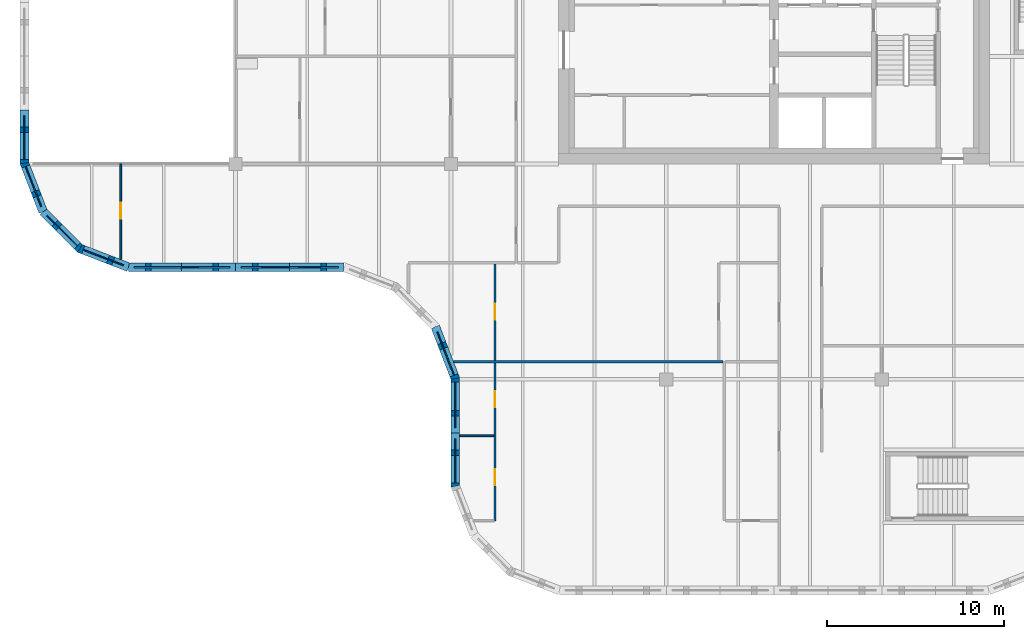
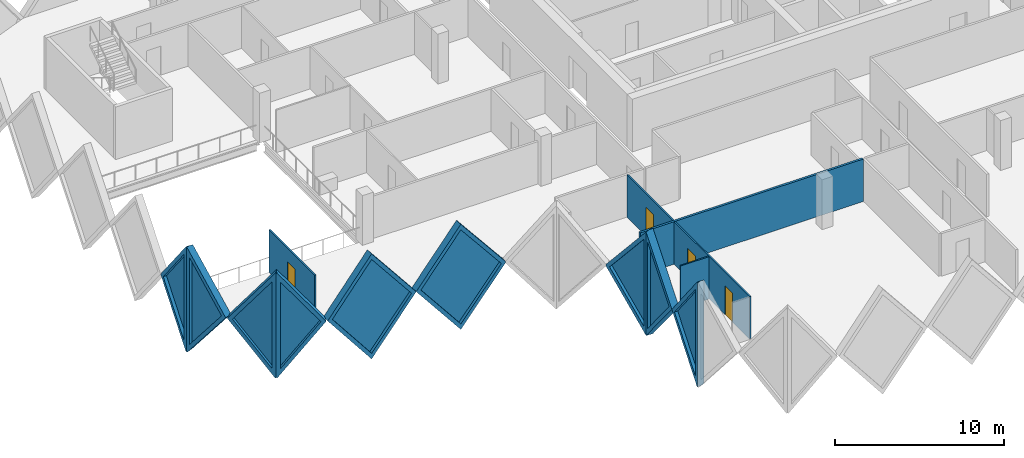
# One storey, part 3 of 12: 14 walls, 9 plates, 4 doors, 13 openings.
"""IFC4 building model written with IfcOpenShell, lengths in metres."""

from ifc_helpers import new_model, si_unit, direction, frame, frame_2d, origin, place, context, subcontext, project, spatial, polyline, rectangle, outline, extrude, faceted_brep, source, transform, mapped, material, layer, layer_set, type_object, element, fill, save


model = new_model("IFC4")

# Units and contexts
model_context = context("Model", 3, precision=1e-05, world=origin(), true_north=direction((0.0, 1.0)))
body_context = subcontext(model_context, "Body", "Model", "MODEL_VIEW")
ifc_project = project(units=[si_unit("LENGTHUNIT", "METRE"), si_unit("AREAUNIT", "SQUARE_METRE"), si_unit("VOLUMEUNIT", "CUBIC_METRE"), si_unit("PLANEANGLEUNIT", "RADIAN"), si_unit("MASSUNIT", "GRAM", prefix="KILO")], contexts=[model_context])

# Site, building, storey
site_placement = place(None, origin())
site = spatial("IfcSite", under=ifc_project, at=site_placement, CompositionType="ELEMENT")
building_placement = place(site_placement, origin())
building = spatial("IfcBuilding", under=site, at=building_placement, Name="Tessera Gate Towers", CompositionType="ELEMENT")
storey_placement = place(building_placement, frame((0.0, 0.0, 159.199951171875)))
storey = spatial("IfcBuildingStorey", under=building, at=storey_placement, Name="L39", CompositionType="ELEMENT", Elevation=159.199951171875)

# Wall, opening, door
ifc_material_1 = material(Name="Glass", Category="glass")
ifc_layer_1 = layer(ifc_material_1, 0.10009765625)
ifc_layer_set_1 = layer_set([ifc_layer_1], Name="GLAZED PARTITION 100")
wall_type_1 = type_object("IfcWallType", Name="GLAZED PARTITION 100", PredefinedType="PARTITIONING", material=ifc_layer_set_1)
wall_1_placement = place(storey_placement, frame((5.699951171875, 18.990234375, 0.0), z_axis=(0.0, 0.0, 1.0), x_axis=(0.0, 1.0, 0.0)))
wall_1 = element("IfcWall", 1, at=wall_1_placement, inside=storey, type_object=wall_type_1, Name="T1-L39-PW-021", PredefinedType="PARTITIONING", context=body_context, shape_type="SweptSolid", body=[
    extrude(rectangle(XDim=5.40966796875, YDim=0.10009765625, at=frame_2d((2.704833984375, 0.0))), origin(), (0.0, 0.0, 1.0), 3.067138671875),
])
shared_shape_1 = source(origin(), body_context, "Body", "SweptSolid", [
    extrude(rectangle(XDim=0.89990234375, YDim=2.10009765625, at=frame_2d((0.449951171875, 1.050048828125))), frame((0.0, 0.06005859375, 0.0), z_axis=(0.0, -1.0, 0.0), x_axis=(1.0, 0.0, 0.0)), (0.0, 0.0, 1.0), 0.1201171875),
])
opening_1_placement = place(wall_1_placement, frame((2.300048828125, 0.0, 0.0)))
opening_1 = element("IfcOpeningElement", 2, at=opening_1_placement, cuts=wall_1, Name="Opening D690-A14-01", PredefinedType="OPENING", context=body_context, shape_type="MappedRepresentation", body=[
    mapped(shared_shape_1, transform((0.0, 0.0, 0.0), scale=1.0)),
])
ifc_material_2 = material(Name="Glass in aluminium frame", Category="aluminium")
door_type_1 = type_object("IfcDoorType", Name="GLAZED DOOR 900 NOT RATED", OperationType="NOTDEFINED", PredefinedType="DOOR", material=ifc_material_2)
shared_shape_2 = source(origin(), body_context, "Body", "SweptSolid", [
    extrude(rectangle(XDim=0.89990234375, YDim=2.10009765625, at=frame_2d((0.449951171875, 1.050048828125))), frame((0.0, 0.02490234375, 0.0), z_axis=(0.0, -1.0, 0.0), x_axis=(1.0, 0.0, 0.0)), (0.0, 0.0, 1.0), 0.050048828125),
])
door_1_placement = place(opening_1_placement, origin())
door_1 = element("IfcDoor", 3, at=door_1_placement, inside=storey, type_object=door_type_1, Name="T1-L39-PD-006", OperationType="SINGLE_SWING_LEFT", OverallHeight=2.10009765625, OverallWidth=0.89990234375, PredefinedType="DOOR", context=body_context, shape_type="MappedRepresentation", body=[
    mapped(shared_shape_2, transform((0.0, 0.0, 0.0), scale=1.0)),
])
fill(opening_1, door_1)

# Wall, openings, doors
ifc_material_3 = material(Name="Gypsum board on steel studs", Category="steel")
ifc_layer_2 = layer(ifc_material_3, 0.10009765625)
ifc_layer_set_2 = layer_set([ifc_layer_2], Name="PARTITION 100")
wall_type_2 = type_object("IfcWallType", Name="PARTITION 100", PredefinedType="PARTITIONING", material=ifc_layer_set_2)
wall_2_placement = place(storey_placement, frame((26.89990234375, 4.199951171875, 0.0), z_axis=(0.0, 0.0, 1.0), x_axis=(0.0, 1.0, 0.0)))
wall_2 = element("IfcWall", 4, at=wall_2_placement, inside=storey, type_object=wall_type_2, Name="T1-L39-PW-004", PredefinedType="PARTITIONING", context=body_context, shape_type="SweptSolid", body=[
    extrude(rectangle(XDim=8.924072265625, YDim=0.10009765625, at=frame_2d((4.4619140625, 0.0))), origin(), (0.0, 0.0, 1.0), 3.067138671875),
])
opening_2_placement = place(wall_2_placement, frame((6.416015625, 0.0, 0.0)))
opening_2 = element("IfcOpeningElement", 5, at=opening_2_placement, cuts=wall_2, Name="Opening D190-A14-01", PredefinedType="OPENING", context=body_context, shape_type="MappedRepresentation", body=[
    mapped(shared_shape_1, transform((0.0, 0.0, 0.0), scale=1.0)),
])
opening_3_placement = place(wall_2_placement, frame((2.0, 0.0, 0.0)))
opening_3 = element("IfcOpeningElement", 6, at=opening_3_placement, cuts=wall_2, Name="Opening D190-A14-09", PredefinedType="OPENING", context=body_context, shape_type="MappedRepresentation", body=[
    mapped(shared_shape_1, transform((0.0, 0.0, 0.0), scale=1.0)),
])
ifc_material_4 = material(Name="Timber door leaf in steel frame", Category="steel")
door_type_2 = type_object("IfcDoorType", Name="INTERNAL DOOR 900 NOT RATED", OperationType="NOTDEFINED", PredefinedType="DOOR", material=ifc_material_4)
door_2_placement = place(opening_2_placement, origin())
door_2 = element("IfcDoor", 7, at=door_2_placement, inside=storey, type_object=door_type_2, Name="T1-L39-PD-002", OperationType="SINGLE_SWING_LEFT", OverallHeight=2.10009765625, OverallWidth=0.89990234375, PredefinedType="DOOR", context=body_context, shape_type="MappedRepresentation", body=[
    mapped(shared_shape_2, transform((0.0, 0.0, 0.0), scale=1.0)),
])
fill(opening_2, door_2)
door_3_placement = place(opening_3_placement, origin())
door_3 = element("IfcDoor", 8, at=door_3_placement, inside=storey, type_object=door_type_2, Name="T1-L39-PD-014", OperationType="SINGLE_SWING_LEFT", OverallHeight=2.10009765625, OverallWidth=0.89990234375, PredefinedType="DOOR", context=body_context, shape_type="MappedRepresentation", body=[
    mapped(shared_shape_2, transform((0.0, 0.0, 0.0), scale=1.0)),
])
fill(opening_3, door_3)

# Wall
wall_3_placement = place(storey_placement, frame((24.89990234375, 9.014892578125, 0.0), z_axis=(0.0, 0.0, 1.0), x_axis=(1.0, 0.0, 0.0)))
element("IfcWall", 9, at=wall_3_placement, inside=storey, type_object=wall_type_2, Name="T1-L39-PW-008", PredefinedType="PARTITIONING", context=body_context, shape_type="SweptSolid", body=[
    extrude(rectangle(XDim=1.94921875, YDim=0.10009765625, at=frame_2d((0.974609375, 0.0))), origin(), (0.0, 0.0, 1.0), 3.067138671875),
])

# Wall, opening, door
wall_4_placement = place(storey_placement, frame((26.89990234375, 13.27587890625, 0.0), z_axis=(0.0, 0.0, 1.0), x_axis=(0.0, 1.0, 0.0)))
wall_4 = element("IfcWall", 10, at=wall_4_placement, inside=storey, type_object=wall_type_2, Name="T1-L39-PW-012", PredefinedType="PARTITIONING", context=body_context, shape_type="SweptSolid", body=[
    extrude(rectangle(XDim=5.4482421875, YDim=0.10009765625, at=frame_2d((2.72412109375, 0.0))), origin(), (0.0, 0.0, 1.0), 3.067138671875),
])
opening_4_placement = place(wall_4_placement, frame((2.300048828125, 0.0, 0.0)))
opening_4 = element("IfcOpeningElement", 11, at=opening_4_placement, cuts=wall_4, Name="Opening D190-A14-04", PredefinedType="OPENING", context=body_context, shape_type="MappedRepresentation", body=[
    mapped(shared_shape_1, transform((0.0, 0.0, 0.0), scale=1.0)),
])
door_4_placement = place(opening_4_placement, origin())
door_4 = element("IfcDoor", 12, at=door_4_placement, inside=storey, type_object=door_type_2, Name="T1-L39-PD-007", OperationType="SINGLE_SWING_LEFT", OverallHeight=2.10009765625, OverallWidth=0.89990234375, PredefinedType="DOOR", context=body_context, shape_type="MappedRepresentation", body=[
    mapped(shared_shape_2, transform((0.0, 0.0, 0.0), scale=1.0)),
])
fill(opening_4, door_4)

# Wall
ifc_material_5 = material(Name="Gypsum board on steel studs, mineral wool", Category="steel")
ifc_layer_3 = layer(ifc_material_5, 0.14990234375)
ifc_layer_set_3 = layer_set([ifc_layer_3], Name="TENANCY WALL 150")
wall_type_3 = type_object("IfcWallType", Name="TENANCY WALL 150", PredefinedType="PARTITIONING", material=ifc_layer_set_3)
wall_5_placement = place(storey_placement, frame((24.55029296875, 13.199951171875, 0.0), z_axis=(0.0, 0.0, 1.0), x_axis=(1.0, 0.0, 0.0)))
element("IfcWall", 13, at=wall_5_placement, inside=storey, type_object=wall_type_3, Name="T1-L39-PW-010", PredefinedType="PARTITIONING", context=body_context, shape_type="SweptSolid", body=[
    extrude(rectangle(XDim=15.248779296875, YDim=0.14990234375, at=frame_2d((7.62451171875, 0.0))), origin(), (0.0, 0.0, 1.0), 3.067138671875),
])

# Wall, opening, plate
ifc_material_6 = material(Name="Precast concrete C60/75 white", Category="concrete")
ifc_layer_4 = layer(ifc_material_6, 0.5)
ifc_layer_set_4 = layer_set([ifc_layer_4], Name="TS1 tessera")
wall_type_4 = type_object("IfcWallType", Name="TS1 tessera", PredefinedType="SOLIDWALL", material=ifc_layer_set_4)
shared_shape_3 = source(origin(), body_context, "Body", "Brep", [
    faceted_brep([(3.00341796875, -0.25, 0.0), (6.053466796875, -0.25, 3.800048828125), (3.00341796875, -0.25, 7.60009765625), (0.0, -0.25, 3.800048828125), (0.046630859375, 0.25, 3.85888671875), (3.00341796875, 0.25, 7.60009765625), (6.053466796875, 0.25, 3.800048828125), (3.00341796875, 0.25, 0.0), (0.046630859375, 0.25, 3.7412109375), (0.0, 0.0, 3.800048828125)], [[[0, 1, 2, 3]], [[4, 5, 6, 7, 8]], [[7, 6, 1, 0]], [[6, 5, 2, 1]], [[5, 4, 9, 3, 2]], [[8, 7, 0, 3, 9]], [[8, 9, 4]]]),
])
wall_6_placement = place(storey_placement, frame((6.146484375, 18.550048828125, -3.800048828125), z_axis=(0.0, 0.0, 1.0), x_axis=(1.0, 0.0, 0.0)))
wall_6 = element("IfcWall", 14, at=wall_6_placement, inside=storey, type_object=wall_type_4, Name="Precast tessera T1 TS1-0665", PredefinedType="SOLIDWALL", context=body_context, shape_type="MappedRepresentation", body=[
    mapped(shared_shape_3, transform((0.0, 0.0, 0.0), scale=1.0)),
])
shared_shape_4 = source(origin(), body_context, "Body", "SweptSolid", [
    extrude(outline(polyline([(3.0048828125, 0.4013671875), (5.73291015625, 3.800048828125), (3.0048828125, 7.19873046875), (0.318603515625, 3.800048828125), (3.0048828125, 0.4013671875)])), frame((0.0, 0.260009765625, 0.0), z_axis=(0.0, -1.0, 0.0), x_axis=(1.0, 0.0, 0.0)), (0.0, 0.0, 1.0), 0.52001953125),
])
opening_5_placement = place(wall_6_placement, origin())
opening_5 = element("IfcOpeningElement", 15, at=opening_5_placement, cuts=wall_6, Name="Opening T1-PL2-1353", PredefinedType="OPENING", context=body_context, shape_type="MappedRepresentation", body=[
    mapped(shared_shape_4, transform((0.0, 0.0, 0.0), scale=1.0)),
])
ifc_material_7 = material(Name="Low-e laminated glass", Category="glass")
ifc_layer_5 = layer(ifc_material_7, 0.06005859375)
ifc_layer_set_5 = layer_set([ifc_layer_5], Name="PL2 rhombic pane")
plate_type = type_object("IfcPlateType", Name="PL2 rhombic pane", PredefinedType="SHEET", material=ifc_layer_set_5)
shared_shape_5 = source(origin(), body_context, "Body", "SweptSolid", [
    extrude(outline(polyline([(3.0048828125, 0.4013671875), (5.73291015625, 3.800048828125), (3.0048828125, 7.19873046875), (0.318603515625, 3.800048828125), (3.0048828125, 0.4013671875)])), frame((0.0, 0.030029296875, 0.0), z_axis=(0.0, -1.0, 0.0), x_axis=(1.0, 0.0, 0.0)), (0.0, 0.0, 1.0), 0.06005859375),
])
plate_1_placement = place(opening_5_placement, origin())
plate_1 = element("IfcPlate", 16, at=plate_1_placement, inside=storey, type_object=plate_type, Name="Glass pane T1 PL2-1353", PredefinedType="SHEET", context=body_context, shape_type="MappedRepresentation", body=[
    mapped(shared_shape_5, transform((0.0, 0.0, 0.0), scale=1.0)),
])
fill(opening_5, plate_1)

ifc_material_8 = material(Name="Precast concrete C60/75 white", Category="concrete")
ifc_layer_6 = layer(ifc_material_8, 0.5)
ifc_layer_set_6 = layer_set([ifc_layer_6], Name="TS3 corner tessera")
wall_type_5 = type_object("IfcWallType", Name="TS3 corner tessera", PredefinedType="SOLIDWALL", material=ifc_layer_set_6)
shared_shape_6 = source(origin(), body_context, "Body", "Brep", [
    faceted_brep([(3.00341796875, -0.25, 0.0), (3.050048828125, -0.25, 0.06005859375), (3.050048828125, -0.25, 7.5400390625), (3.00341796875, -0.25, 7.60009765625), (0.0, -0.25, 3.800048828125), (0.0, 0.25, 3.800048828125), (2.956787109375, 0.25, 7.541259765625), (2.956787109375, 0.25, 0.058837890625), (3.00341796875, 0.000244140625, 0.0), (3.00341796875, 0.000244140625, 7.60009765625)], [[[0, 1, 2, 3, 4]], [[5, 6, 7]], [[1, 0, 8]], [[9, 3, 2]], [[6, 5, 4, 3, 9]], [[5, 7, 8, 0, 4]], [[1, 8, 7, 6, 9, 2]]]),
])
wall_7_placement = place(storey_placement, frame((0.25, 27.449951171875, -3.800048828125), z_axis=(0.0, 0.0, 1.0), x_axis=(0.0, -1.0, 0.0)))
wall_7 = element("IfcWall", 17, at=wall_7_placement, inside=storey, type_object=wall_type_5, Name="Precast corner tessera T1 TS3-0901", PredefinedType="SOLIDWALL", context=body_context, shape_type="MappedRepresentation", body=[
    mapped(shared_shape_6, transform((0.0, 0.0, 0.0), scale=1.0)),
])
shared_shape_7 = source(origin(), body_context, "Body", "SweptSolid", [
    extrude(outline(polyline([(2.803466796875, 6.94384765625), (0.318603515625, 3.800048828125), (2.803466796875, 0.65625), (2.803466796875, 6.94384765625)])), frame((0.0, 0.260009765625, 0.0), z_axis=(0.0, -1.0, 0.0), x_axis=(1.0, 0.0, 0.0)), (0.0, 0.0, 1.0), 0.52001953125),
])
opening_6_placement = place(wall_7_placement, origin())
opening_6 = element("IfcOpeningElement", 18, at=opening_6_placement, cuts=wall_7, Name="Opening T1-PL2-1349", PredefinedType="OPENING", context=body_context, shape_type="MappedRepresentation", body=[
    mapped(shared_shape_7, transform((0.0, 0.0, 0.0), scale=1.0)),
])
shared_shape_8 = source(origin(), body_context, "Body", "SweptSolid", [
    extrude(outline(polyline([(2.803466796875, 6.94384765625), (0.318603515625, 3.800048828125), (2.803466796875, 0.65625), (2.803466796875, 6.94384765625)])), frame((0.0, 0.030029296875, 0.0), z_axis=(0.0, -1.0, 0.0), x_axis=(1.0, 0.0, 0.0)), (0.0, 0.0, 1.0), 0.06005859375),
])
plate_2_placement = place(opening_6_placement, origin())
plate_2 = element("IfcPlate", 19, at=plate_2_placement, inside=storey, type_object=plate_type, Name="Glass pane T1 PL2-1349", PredefinedType="SHEET", context=body_context, shape_type="MappedRepresentation", body=[
    mapped(shared_shape_8, transform((0.0, 0.0, 0.0), scale=1.0)),
])
fill(opening_6, plate_2)

wall_8_placement = place(storey_placement, frame((24.64990234375, 9.14990234375, -3.800048828125), z_axis=(0.0, 0.0, 1.0), x_axis=(0.0, -1.0, 0.0)))
wall_8 = element("IfcWall", 20, at=wall_8_placement, inside=storey, type_object=wall_type_5, Name="Precast corner tessera T1 TS3-0909", PredefinedType="SOLIDWALL", context=body_context, shape_type="MappedRepresentation", body=[
    mapped(shared_shape_6, transform((0.0, 0.0, 0.0), scale=1.0)),
])
opening_7_placement = place(wall_8_placement, origin())
opening_7 = element("IfcOpeningElement", 21, at=opening_7_placement, cuts=wall_8, Name="Opening T1-PL2-1359", PredefinedType="OPENING", context=body_context, shape_type="MappedRepresentation", body=[
    mapped(shared_shape_7, transform((0.0, 0.0, 0.0), scale=1.0)),
])
plate_3_placement = place(opening_7_placement, origin())
plate_3 = element("IfcPlate", 22, at=plate_3_placement, inside=storey, type_object=plate_type, Name="Glass pane T1 PL2-1359", PredefinedType="SHEET", context=body_context, shape_type="MappedRepresentation", body=[
    mapped(shared_shape_8, transform((0.0, 0.0, 0.0), scale=1.0)),
])
fill(opening_7, plate_3)

shared_shape_9 = source(origin(), body_context, "Body", "Brep", [
    faceted_brep([(0.046630859375, -0.25, 0.0), (2.9970703125, -0.25, 3.800048828125), (0.046630859375, -0.25, 7.60009765625), (0.0, -0.25, 7.541259765625), (0.0, -0.25, 0.058837890625), (0.09326171875, 0.25, 7.5400390625), (2.9443359375, 0.25, 3.8681640625), (2.9443359375, 0.25, 3.73193359375), (0.09326171875, 0.25, 0.06005859375), (2.9970703125, 0.00048828125, 3.800048828125), (0.046630859375, 0.0, 0.0), (0.046630859375, 0.0, 7.60009765625)], [[[0, 1, 2, 3, 4]], [[5, 6, 7, 8]], [[8, 7, 9, 1, 0, 10]], [[6, 5, 11, 2, 1, 9]], [[3, 2, 11]], [[10, 0, 4]], [[8, 10, 4, 3, 11, 5]], [[9, 7, 6]]]),
])
wall_9_placement = place(storey_placement, frame((0.233154296875, 24.489990234375, -3.800048828125), z_axis=(0.0, 0.0, 1.0), x_axis=(0.359901446078, -0.932990326376, 0.0)))
wall_9 = element("IfcWall", 23, at=wall_9_placement, inside=storey, type_object=wall_type_5, Name="Precast corner tessera T1 TS3-0902", PredefinedType="SOLIDWALL", context=body_context, shape_type="MappedRepresentation", body=[
    mapped(shared_shape_9, transform((0.0, 0.0, 0.0), scale=1.0)),
])
shared_shape_10 = source(origin(), body_context, "Body", "SweptSolid", [
    extrude(outline(polyline([(0.24658203125, 0.665283203125), (2.6806640625, 3.800048828125), (0.24658203125, 6.934814453125), (0.24658203125, 0.665283203125)])), frame((0.0, 0.260009765625, 0.0), z_axis=(0.0, -1.0, 0.0), x_axis=(1.0, 0.0, 0.0)), (0.0, 0.0, 1.0), 0.52001953125),
])
opening_8_placement = place(wall_9_placement, origin())
opening_8 = element("IfcOpeningElement", 24, at=opening_8_placement, cuts=wall_9, Name="Opening T1-PL2-1350", PredefinedType="OPENING", context=body_context, shape_type="MappedRepresentation", body=[
    mapped(shared_shape_10, transform((0.0, 0.0, 0.0), scale=1.0)),
])
shared_shape_11 = source(origin(), body_context, "Body", "SweptSolid", [
    extrude(outline(polyline([(0.24658203125, 0.665283203125), (2.6806640625, 3.800048828125), (0.24658203125, 6.934814453125), (0.24658203125, 0.665283203125)])), frame((0.0, 0.030029296875, 0.0), z_axis=(0.0, -1.0, 0.0), x_axis=(1.0, 0.0, 0.0)), (0.0, 0.0, 1.0), 0.06005859375),
])
plate_4_placement = place(opening_8_placement, origin())
plate_4 = element("IfcPlate", 25, at=plate_4_placement, inside=storey, type_object=plate_type, Name="Glass pane T1 PL2-1350", PredefinedType="SHEET", context=body_context, shape_type="MappedRepresentation", body=[
    mapped(shared_shape_11, transform((0.0, 0.0, 0.0), scale=1.0)),
])
fill(opening_8, plate_4)

shared_shape_12 = source(origin(), body_context, "Body", "Brep", [
    faceted_brep([(0.052978515625, -0.25, 0.0), (3.00341796875, -0.25, 3.800048828125), (0.052978515625, -0.25, 7.60009765625), (0.0, -0.25, 7.53173828125), (0.0, -0.25, 0.068359375), (0.10595703125, 0.25, 7.531982421875), (2.95703125, 0.25, 3.85986328125), (2.95703125, 0.25, 3.740234375), (0.10595703125, 0.25, 0.068115234375), (3.00341796875, 0.00048828125, 3.800048828125), (0.052978515625, 0.0, 0.0), (0.052978515625, 0.0, 7.60009765625)], [[[0, 1, 2, 3, 4]], [[5, 6, 7, 8]], [[8, 7, 9, 1, 0, 10]], [[6, 5, 11, 2, 1, 9]], [[3, 2, 11]], [[10, 0, 4]], [[8, 10, 4, 3, 11, 5]], [[9, 7, 6]]]),
])
wall_10_placement = place(storey_placement, frame((3.34423828125, 19.630859375, -3.800048828125), z_axis=(0.0, 0.0, 1.0), x_axis=(0.933007896601, -0.359855894603, 0.0)))
wall_10 = element("IfcWall", 26, at=wall_10_placement, inside=storey, type_object=wall_type_5, Name="Precast corner tessera T1 TS3-0904", PredefinedType="SOLIDWALL", context=body_context, shape_type="MappedRepresentation", body=[
    mapped(shared_shape_12, transform((0.0, 0.0, 0.0), scale=1.0)),
])
shared_shape_13 = source(origin(), body_context, "Body", "SweptSolid", [
    extrude(outline(polyline([(0.2529296875, 0.665283203125), (2.68701171875, 3.800048828125), (0.2529296875, 6.934814453125), (0.2529296875, 0.665283203125)])), frame((0.0, 0.260009765625, 0.0), z_axis=(0.0, -1.0, 0.0), x_axis=(1.0, 0.0, 0.0)), (0.0, 0.0, 1.0), 0.52001953125),
])
opening_9_placement = place(wall_10_placement, origin())
opening_9 = element("IfcOpeningElement", 27, at=opening_9_placement, cuts=wall_10, Name="Opening T1-PL2-1352", PredefinedType="OPENING", context=body_context, shape_type="MappedRepresentation", body=[
    mapped(shared_shape_13, transform((0.0, 0.0, 0.0), scale=1.0)),
])
shared_shape_14 = source(origin(), body_context, "Body", "SweptSolid", [
    extrude(outline(polyline([(0.2529296875, 0.665283203125), (2.68701171875, 3.800048828125), (0.2529296875, 6.934814453125), (0.2529296875, 0.665283203125)])), frame((0.0, 0.030029296875, 0.0), z_axis=(0.0, -1.0, 0.0), x_axis=(1.0, 0.0, 0.0)), (0.0, 0.0, 1.0), 0.06005859375),
])
plate_5_placement = place(opening_9_placement, origin())
plate_5 = element("IfcPlate", 28, at=plate_5_placement, inside=storey, type_object=plate_type, Name="Glass pane T1 PL2-1352", PredefinedType="SHEET", context=body_context, shape_type="MappedRepresentation", body=[
    mapped(shared_shape_14, transform((0.0, 0.0, 0.0), scale=1.0)),
])
fill(opening_9, plate_5)

shared_shape_15 = source(origin(), body_context, "Body", "Brep", [
    faceted_brep([(2.944091796875, -0.25, 0.0), (2.9970703125, -0.25, 0.068115234375), (2.9970703125, -0.25, 7.531982421875), (2.944091796875, -0.25, 7.60009765625), (0.0, -0.25, 3.800048828125), (0.052978515625, 0.25, 3.868408203125), (2.89111328125, 0.25, 7.531982421875), (2.89111328125, 0.25, 0.068115234375), (0.052978515625, 0.25, 3.731689453125), (2.944091796875, 0.000244140625, 0.0), (2.944091796875, 0.000244140625, 7.60009765625), (0.0, 0.0, 3.800048828125)], [[[0, 1, 2, 3, 4]], [[5, 6, 7, 8]], [[1, 0, 9]], [[10, 3, 2]], [[6, 5, 11, 4, 3, 10]], [[8, 7, 9, 0, 4, 11]], [[8, 11, 5]], [[1, 9, 7, 6, 10, 2]]]),
])
wall_11_placement = place(storey_placement, frame((1.31201171875, 21.69384765625, -3.800048828125), z_axis=(0.0, 0.0, 1.0), x_axis=(0.707066050402, -0.707147509625, 0.0)))
wall_11 = element("IfcWall", 29, at=wall_11_placement, inside=storey, type_object=wall_type_5, Name="Precast corner tessera T1 TS3-0903", PredefinedType="SOLIDWALL", context=body_context, shape_type="MappedRepresentation", body=[
    mapped(shared_shape_15, transform((0.0, 0.0, 0.0), scale=1.0)),
])
shared_shape_16 = source(origin(), body_context, "Body", "SweptSolid", [
    extrude(outline(polyline([(2.744140625, 6.933837890625), (0.316162109375, 3.800048828125), (2.744140625, 0.66650390625), (2.744140625, 6.933837890625)])), frame((0.0, 0.260009765625, 0.0), z_axis=(0.0, -1.0, 0.0), x_axis=(1.0, 0.0, 0.0)), (0.0, 0.0, 1.0), 0.52001953125),
])
opening_10_placement = place(wall_11_placement, origin())
opening_10 = element("IfcOpeningElement", 30, at=opening_10_placement, cuts=wall_11, Name="Opening T1-PL2-1351", PredefinedType="OPENING", context=body_context, shape_type="MappedRepresentation", body=[
    mapped(shared_shape_16, transform((0.0, 0.0, 0.0), scale=1.0)),
])
shared_shape_17 = source(origin(), body_context, "Body", "SweptSolid", [
    extrude(outline(polyline([(2.744140625, 6.933837890625), (0.316162109375, 3.800048828125), (2.744140625, 0.66650390625), (2.744140625, 6.933837890625)])), frame((0.0, 0.030029296875, 0.0), z_axis=(0.0, -1.0, 0.0), x_axis=(1.0, 0.0, 0.0)), (0.0, 0.0, 1.0), 0.06005859375),
])
plate_6_placement = place(opening_10_placement, origin())
plate_6 = element("IfcPlate", 31, at=plate_6_placement, inside=storey, type_object=plate_type, Name="Glass pane T1 PL2-1351", PredefinedType="SHEET", context=body_context, shape_type="MappedRepresentation", body=[
    mapped(shared_shape_17, transform((0.0, 0.0, 0.0), scale=1.0)),
])
fill(opening_10, plate_6)

shared_shape_18 = source(origin(), body_context, "Body", "Brep", [
    faceted_brep([(3.050048828125, -0.25, 0.0), (6.10009765625, -0.25, 3.742919921875), (6.10009765625, -0.25, 3.857177734375), (3.050048828125, -0.25, 7.60009765625), (0.0, -0.25, 3.800048828125), (0.0, 0.25, 3.800048828125), (3.050048828125, 0.25, 7.60009765625), (6.146484375, 0.25, 3.800048828125), (3.050048828125, 0.25, 0.0), (6.146484375, -0.000244140625, 3.800048828125)], [[[0, 1, 2, 3, 4]], [[5, 6, 7, 8]], [[8, 7, 9, 1, 0]], [[7, 6, 3, 2, 9]], [[6, 5, 4, 3]], [[5, 8, 0, 4]], [[1, 9, 2]]]),
])
wall_12_placement = place(storey_placement, frame((12.199951171875, 18.550048828125, -3.800048828125), z_axis=(0.0, 0.0, 1.0), x_axis=(1.0, 0.0, 0.0)))
wall_12 = element("IfcWall", 32, at=wall_12_placement, inside=storey, type_object=wall_type_4, Name="Precast tessera T1 TS1-0666", PredefinedType="SOLIDWALL", context=body_context, shape_type="MappedRepresentation", body=[
    mapped(shared_shape_18, transform((0.0, 0.0, 0.0), scale=1.0)),
])
shared_shape_19 = source(origin(), body_context, "Body", "SweptSolid", [
    extrude(outline(polyline([(3.051513671875, 0.397705078125), (5.823974609375, 3.800048828125), (3.051513671875, 7.20263671875), (0.320556640625, 3.800048828125), (3.051513671875, 0.397705078125)])), frame((0.0, 0.260009765625, 0.0), z_axis=(0.0, -1.0, 0.0), x_axis=(1.0, 0.0, 0.0)), (0.0, 0.0, 1.0), 0.52001953125),
])
opening_11_placement = place(wall_12_placement, origin())
opening_11 = element("IfcOpeningElement", 33, at=opening_11_placement, cuts=wall_12, Name="Opening T1-PL2-1354", PredefinedType="OPENING", context=body_context, shape_type="MappedRepresentation", body=[
    mapped(shared_shape_19, transform((0.0, 0.0, 0.0), scale=1.0)),
])
shared_shape_20 = source(origin(), body_context, "Body", "SweptSolid", [
    extrude(outline(polyline([(3.051513671875, 0.397705078125), (5.823974609375, 3.800048828125), (3.051513671875, 7.20263671875), (0.320556640625, 3.800048828125), (3.051513671875, 0.397705078125)])), frame((0.0, 0.030029296875, 0.0), z_axis=(0.0, -1.0, 0.0), x_axis=(1.0, 0.0, 0.0)), (0.0, 0.0, 1.0), 0.06005859375),
])
plate_7_placement = place(opening_11_placement, origin())
plate_7 = element("IfcPlate", 34, at=plate_7_placement, inside=storey, type_object=plate_type, Name="Glass pane T1 PL2-1354", PredefinedType="SHEET", context=body_context, shape_type="MappedRepresentation", body=[
    mapped(shared_shape_20, transform((0.0, 0.0, 0.0), scale=1.0)),
])
fill(opening_11, plate_7)

shared_shape_21 = source(origin(), body_context, "Body", "Brep", [
    faceted_brep([(3.10302734375, -0.25, 7.5439453125), (0.052978515625, -0.25, 3.864013671875), (0.052978515625, -0.25, 3.736083984375), (3.10302734375, -0.25, 0.05615234375), (0.0, 0.25, 3.800048828125), (3.1494140625, 0.25, 7.60009765625), (3.196044921875, 0.25, 7.54296875), (3.196044921875, 0.25, 0.05712890625), (3.1494140625, 0.25, 0.0), (3.1494140625, -0.000244140625, 0.0), (3.1494140625, -0.000244140625, 7.60009765625), (0.0, 0.0, 3.800048828125)], [[[0, 1, 2, 3]], [[4, 5, 6, 7, 8]], [[8, 7, 9]], [[6, 5, 10]], [[5, 4, 11, 1, 0, 10]], [[4, 8, 9, 3, 2, 11]], [[11, 2, 1]], [[3, 9, 7, 6, 10, 0]]]),
])
wall_13_placement = place(storey_placement, frame((23.5166015625, 15.18505859375, -3.800048828125), z_axis=(0.0, 0.0, 1.0), x_axis=(0.359864468756, -0.933004589553, 0.0)))
wall_13 = element("IfcWall", 35, at=wall_13_placement, inside=storey, type_object=wall_type_5, Name="Precast corner tessera T1 TS3-0907", PredefinedType="SOLIDWALL", context=body_context, shape_type="MappedRepresentation", body=[
    mapped(shared_shape_21, transform((0.0, 0.0, 0.0), scale=1.0)),
])
shared_shape_22 = source(origin(), body_context, "Body", "SweptSolid", [
    extrude(outline(polyline([(2.949462890625, 6.967041015625), (0.32470703125, 3.800048828125), (2.949462890625, 0.63330078125), (2.949462890625, 6.967041015625)])), frame((0.0, 0.260009765625, 0.0), z_axis=(0.0, -1.0, 0.0), x_axis=(1.0, 0.0, 0.0)), (0.0, 0.0, 1.0), 0.52001953125),
])
opening_12_placement = place(wall_13_placement, origin())
opening_12 = element("IfcOpeningElement", 36, at=opening_12_placement, cuts=wall_13, Name="Opening T1-PL2-1357", PredefinedType="OPENING", context=body_context, shape_type="MappedRepresentation", body=[
    mapped(shared_shape_22, transform((0.0, 0.0, 0.0), scale=1.0)),
])
shared_shape_23 = source(origin(), body_context, "Body", "SweptSolid", [
    extrude(outline(polyline([(2.949462890625, 6.967041015625), (0.32470703125, 3.800048828125), (2.949462890625, 0.63330078125), (2.949462890625, 6.967041015625)])), frame((0.0, 0.030029296875, 0.0), z_axis=(0.0, -1.0, 0.0), x_axis=(1.0, 0.0, 0.0)), (0.0, 0.0, 1.0), 0.06005859375),
])
plate_8_placement = place(opening_12_placement, origin())
plate_8 = element("IfcPlate", 37, at=plate_8_placement, inside=storey, type_object=plate_type, Name="Glass pane T1 PL2-1357", PredefinedType="SHEET", context=body_context, shape_type="MappedRepresentation", body=[
    mapped(shared_shape_23, transform((0.0, 0.0, 0.0), scale=1.0)),
])
fill(opening_12, plate_8)

shared_shape_24 = source(origin(), body_context, "Body", "Brep", [
    faceted_brep([(0.09326171875, -0.25, 0.05712890625), (3.14306640625, -0.25, 3.800048828125), (0.09326171875, -0.25, 7.54296875), (0.0, 0.25, 7.5439453125), (0.046630859375, 0.25, 7.60009765625), (3.14306640625, 0.25, 3.800048828125), (0.046630859375, 0.25, 0.0), (0.0, 0.25, 0.05615234375), (0.046630859375, 0.0, 0.0), (0.046630859375, 0.0, 7.60009765625)], [[[0, 1, 2]], [[3, 4, 5, 6, 7]], [[6, 5, 1, 0, 8]], [[5, 4, 9, 2, 1]], [[4, 3, 9]], [[7, 6, 8]], [[7, 8, 0, 2, 9, 3]]]),
])
wall_14_placement = place(storey_placement, frame((24.64990234375, 12.293212890625, -3.800048828125), z_axis=(0.0, 0.0, 1.0), x_axis=(0.0, -1.0, 0.0)))
wall_14 = element("IfcWall", 38, at=wall_14_placement, inside=storey, type_object=wall_type_5, Name="Precast corner tessera T1 TS3-0908", PredefinedType="SOLIDWALL", context=body_context, shape_type="MappedRepresentation", body=[
    mapped(shared_shape_24, transform((0.0, 0.0, 0.0), scale=1.0)),
])
shared_shape_25 = source(origin(), body_context, "Body", "SweptSolid", [
    extrude(outline(polyline([(0.24658203125, 0.641357421875), (2.82080078125, 3.800048828125), (0.24658203125, 6.958984375), (0.24658203125, 0.641357421875)])), frame((0.0, 0.260009765625, 0.0), z_axis=(0.0, -1.0, 0.0), x_axis=(1.0, 0.0, 0.0)), (0.0, 0.0, 1.0), 0.52001953125),
])
opening_13_placement = place(wall_14_placement, origin())
opening_13 = element("IfcOpeningElement", 39, at=opening_13_placement, cuts=wall_14, Name="Opening T1-PL2-1358", PredefinedType="OPENING", context=body_context, shape_type="MappedRepresentation", body=[
    mapped(shared_shape_25, transform((0.0, 0.0, 0.0), scale=1.0)),
])
shared_shape_26 = source(origin(), body_context, "Body", "SweptSolid", [
    extrude(outline(polyline([(0.24658203125, 0.641357421875), (2.82080078125, 3.800048828125), (0.24658203125, 6.958984375), (0.24658203125, 0.641357421875)])), frame((0.0, 0.030029296875, 0.0), z_axis=(0.0, -1.0, 0.0), x_axis=(1.0, 0.0, 0.0)), (0.0, 0.0, 1.0), 0.06005859375),
])
plate_9_placement = place(opening_13_placement, origin())
plate_9 = element("IfcPlate", 40, at=plate_9_placement, inside=storey, type_object=plate_type, Name="Glass pane T1 PL2-1358", PredefinedType="SHEET", context=body_context, shape_type="MappedRepresentation", body=[
    mapped(shared_shape_26, transform((0.0, 0.0, 0.0), scale=1.0)),
])
fill(opening_13, plate_9)

save(model, "model.ifc")
